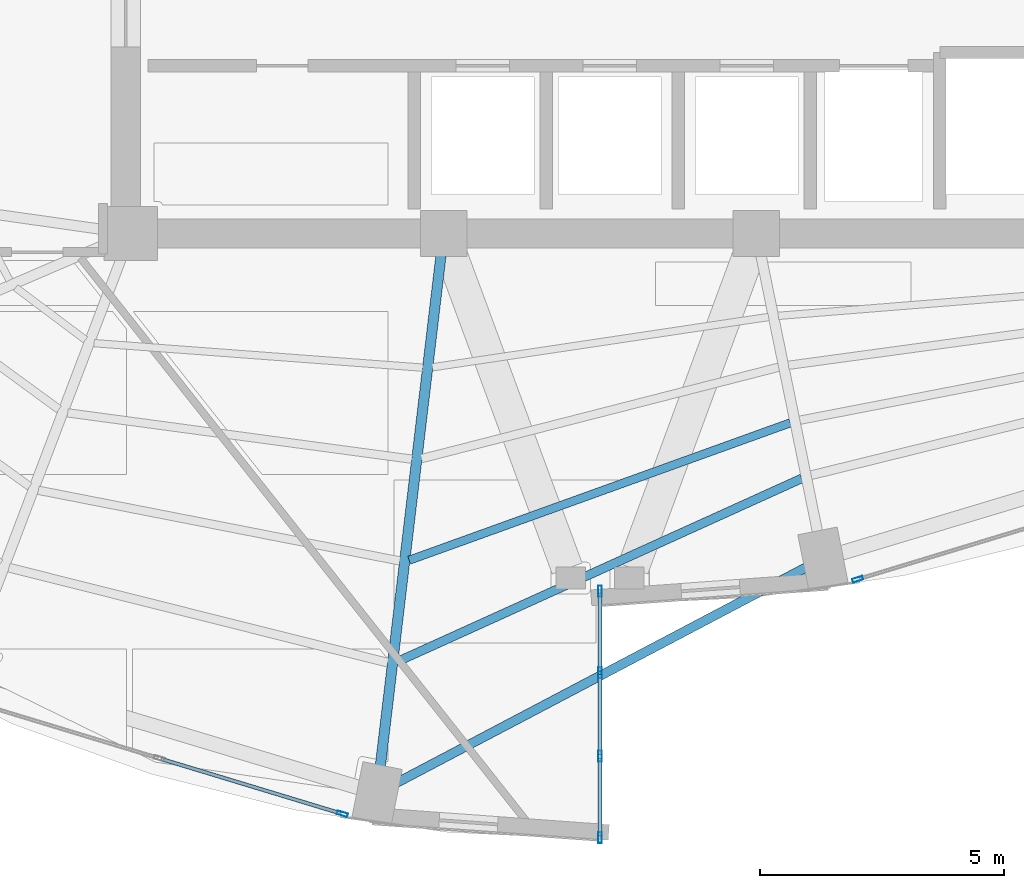
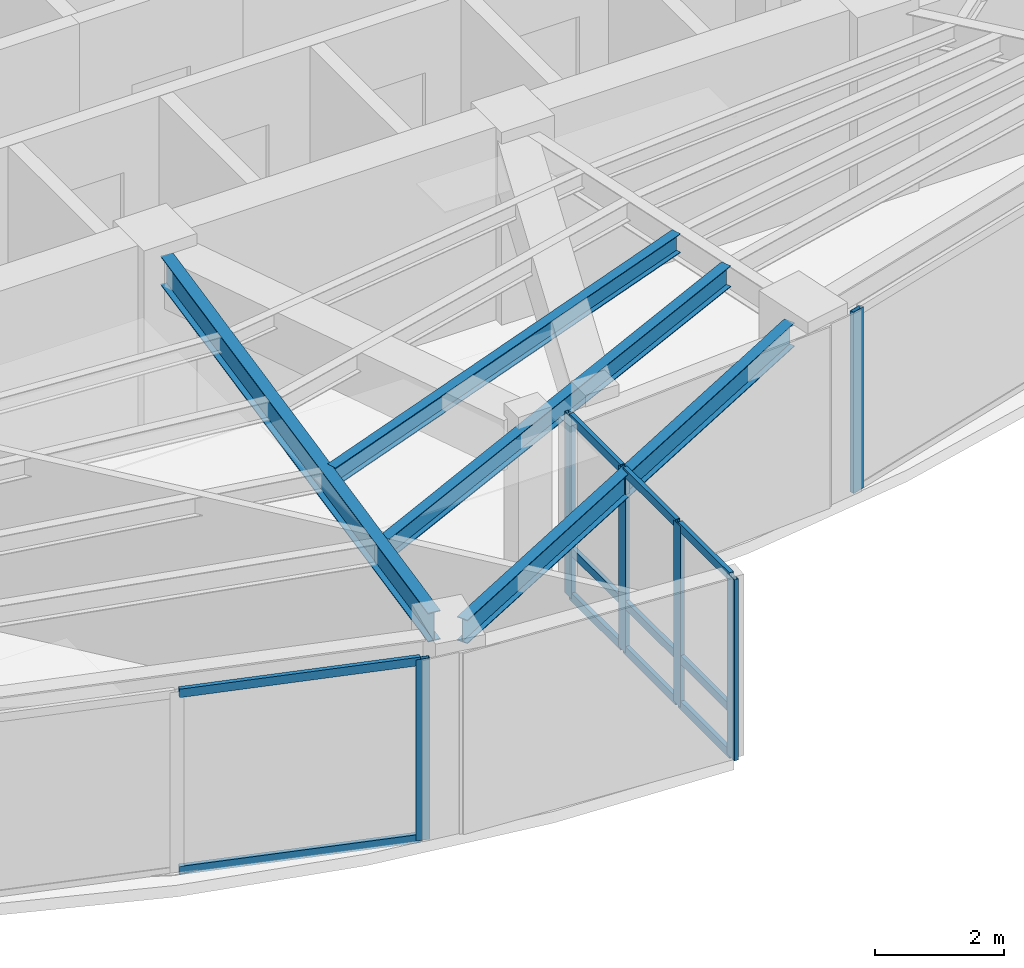
# One storey, part 4 of 20: 17 members, 4 beams, 3 elements without a shape of their own.
"""IFC4 building model written with IfcOpenShell, lengths in metres."""

from ifc_helpers import new_model, si_unit, direction, frame, origin, origin_2d, place, context, subcontext, project, spatial, hollow_rectangle, i_section, extrude, material, layer, layer_set, material_profile, profile_set, type_object, element, aggregate, save


model = new_model("IFC4")

# Units and contexts
model_context = context("Model", 3, precision=1e-05, world=origin(), true_north=direction((0.0, 1.0)))
body_context = subcontext(model_context, "Body", "Model", "MODEL_VIEW")
ifc_project = project(units=[si_unit("LENGTHUNIT", "METRE"), si_unit("AREAUNIT", "SQUARE_METRE"), si_unit("VOLUMEUNIT", "CUBIC_METRE"), si_unit("PLANEANGLEUNIT", "RADIAN"), si_unit("MASSUNIT", "GRAM", prefix="KILO")], contexts=[model_context])

# Site, building, storey
site_placement = place(None, origin())
site = spatial("IfcSite", under=ifc_project, at=site_placement, CompositionType="ELEMENT")
building_placement = place(site_placement, origin())
building = spatial("IfcBuilding", under=site, at=building_placement, Name="Lazwardi Medical Tower", CompositionType="ELEMENT")
storey_placement = place(building_placement, frame((0.0, 0.0, 152.8798828125)))
storey = spatial("IfcBuildingStorey", under=building, at=storey_placement, Name="L39", CompositionType="ELEMENT", Elevation=152.8798828125)

# Beams
ifc_material_1 = material(Name="Steel S355", Category="steel")
ifc_material_profile_1 = material_profile(ifc_material_1, i_section(OverallWidth=0.2099609375, OverallDepth=0.550048828125, WebThickness=0.010986328125, FlangeThickness=0.01708984375, at=origin_2d()), Name="IPE 550")
ifc_profile_set_1 = profile_set([ifc_material_profile_1], Name="Steel S355")
beam_type_1 = type_object("IfcBeamType", Name="BM-RG-W2", PredefinedType="BEAM", material=ifc_profile_set_1)
beam_1_placement = place(storey_placement, frame((31.505859375, 9.50732421875, 3.153076171875), z_axis=(0.117968004211, 0.993017396616, 0.0), x_axis=(-0.993017396616, 0.117968004211, 0.0)))
element("IfcBeam", 1, at=beam_1_placement, inside=storey, type_object=beam_type_1, Name="Radial girder RG-03 R16 L39", PredefinedType="BEAM", context=body_context, shape_type="SweptSolid", body=[
    extrude(i_section(OverallWidth=0.2099609375, OverallDepth=0.550048828125, WebThickness=0.010986328125, FlangeThickness=0.01708984375, at=origin_2d()), origin(), (0.0, 0.0, 1.0), 10.50927734375),
])
ifc_material_profile_2 = material_profile(ifc_material_1, i_section(OverallWidth=0.179931640625, OverallDepth=0.39990234375, WebThickness=0.008544921875, FlangeThickness=0.013427734375, at=origin_2d()), Name="IPE 400")
ifc_profile_set_2 = profile_set([ifc_material_profile_2], Name="Steel S355")
beam_type_2 = type_object("IfcBeamType", Name="BM-SJ-01", PredefinedType="JOIST", material=ifc_profile_set_2)
beam_2_placement = place(storey_placement, frame((31.844970703125, 11.6357421875, 3.22802734375), z_axis=(0.910834000674, 0.412772846995, 0.0), x_axis=(-0.412772846995, 0.910834000674, 0.0)))
element("IfcBeam", 2, at=beam_2_placement, inside=storey, type_object=beam_type_2, Name="Secondary joist SJ-01 R1 B16 L39", PredefinedType="JOIST", context=body_context, shape_type="SweptSolid", body=[
    extrude(i_section(OverallWidth=0.179931640625, OverallDepth=0.39990234375, WebThickness=0.008544921875, FlangeThickness=0.013427734375, at=origin_2d()), origin(), (0.0, 0.0, 1.0), 9.09130859375),
])
ifc_material_profile_3 = material_profile(ifc_material_1, i_section(OverallWidth=0.169921875, OverallDepth=0.360107421875, WebThickness=0.008056640625, FlangeThickness=0.0126953125, at=origin_2d()), Name="IPE 360")
ifc_profile_set_3 = profile_set([ifc_material_profile_3], Name="Steel S355")
beam_type_3 = type_object("IfcBeamType", Name="BM-SJ-02", PredefinedType="JOIST", material=ifc_profile_set_3)
beam_3_placement = place(storey_placement, frame((32.095947265625, 13.715576171875, 3.248046875), z_axis=(0.940747993319, 0.339106492221, 0.0), x_axis=(-0.339106492221, 0.940747993319, 0.0)))
element("IfcBeam", 3, at=beam_3_placement, inside=storey, type_object=beam_type_3, Name="Secondary joist SJ-02 R2 B16 L39", PredefinedType="JOIST", context=body_context, shape_type="SweptSolid", body=[
    extrude(i_section(OverallWidth=0.169921875, OverallDepth=0.360107421875, WebThickness=0.008056640625, FlangeThickness=0.0126953125, at=origin_2d()), origin(), (0.0, 0.0, 1.0), 8.28662109375),
])
ifc_material_profile_4 = material_profile(ifc_material_1, i_section(OverallWidth=0.18994140625, OverallDepth=0.449951171875, WebThickness=0.009521484375, FlangeThickness=0.0146484375, at=origin_2d()), Name="IPE 450")
ifc_profile_set_4 = profile_set([ifc_material_profile_4], Name="Steel S355")
beam_type_4 = type_object("IfcBeamType", Name="BM-SP-01", PredefinedType="SPANDREL", material=ifc_profile_set_4)
beam_4_placement = place(storey_placement, frame((31.793701171875, 9.137451171875, 3.203125), z_axis=(0.884926578414, 0.465730556026, 0.0), x_axis=(-0.465730556026, 0.884926578414, 0.0)))
element("IfcBeam", 4, at=beam_4_placement, inside=storey, type_object=beam_type_4, Name="Spandrel beam SP-01 B16 L39", PredefinedType="SPANDREL", context=body_context, shape_type="SweptSolid", body=[
    extrude(i_section(OverallWidth=0.18994140625, OverallDepth=0.449951171875, WebThickness=0.009521484375, FlangeThickness=0.0146484375, at=origin_2d()), origin(), (0.0, 0.0, 1.0), 9.506591796875),
])

# Curtain wall, member
ifc_material_2 = material(Name="Anodised bronze aluminium and solar control glazing", Category="aluminium")
ifc_layer_1 = layer(ifc_material_2, 0.195068359375)
ifc_layer_set_1 = layer_set([ifc_layer_1], Name="Anodised bronze aluminium and solar control glazing")
curtain_wall_type_1 = type_object("IfcCurtainWallType", Name="CW-SYS-03", PredefinedType="NOTDEFINED", material=ifc_layer_set_1)
curtain_wall_1_placement = place(storey_placement, origin())
curtain_wall_1 = element("IfcCurtainWall", 5, at=curtain_wall_1_placement, inside=storey, type_object=curtain_wall_type_1, Name="L39 Unitised bronze curtain wall CW-03", PredefinedType="NOTDEFINED")
ifc_material_3 = material(Name="Anodised bronze aluminium", Category="aluminium")
ifc_material_profile_5 = material_profile(ifc_material_3, hollow_rectangle(XDim=0.074951171875, YDim=0.219970703125, WallThickness=0.00390625, at=origin_2d()), Name="ALU-MULLION 220x75x4")
ifc_profile_set_5 = profile_set([ifc_material_profile_5], Name="Anodised bronze aluminium")
member_type_1 = type_object("IfcMemberType", Name="CW-MUL-01", PredefinedType="MULLION", material=ifc_profile_set_5)
member_1_placement = place(storey_placement, frame((41.27197265625, 13.325927734375, 0.0), z_axis=(0.0, 0.0, 1.0), x_axis=(-0.290280785441, 0.956941516292, 0.0)))
member_1 = element("IfcMember", 6, at=member_1_placement, type_object=member_type_1, Name="CW-03 mullion 1", PredefinedType="MULLION", context=body_context, shape_type="SweptSolid", body=[
    extrude(hollow_rectangle(XDim=0.074951171875, YDim=0.219970703125, WallThickness=0.00390625, at=origin_2d()), origin(), (0.0, 0.0, 1.0), 3.42822265625),
])
aggregate(curtain_wall_1, [member_1])

curtain_wall_2_placement = place(storey_placement, origin())
curtain_wall_2 = element("IfcCurtainWall", 7, at=curtain_wall_2_placement, inside=storey, type_object=curtain_wall_type_1, Name="L39 Unitised bronze curtain wall CW-03", PredefinedType="NOTDEFINED")
member_2_placement = place(storey_placement, frame((30.72802734375, 8.52587890625, 0.0), z_axis=(0.0, 0.0, 1.0), x_axis=(0.290280785441, 0.956941516292, 0.0)))
member_2 = element("IfcMember", 8, at=member_2_placement, type_object=member_type_1, Name="CW-03 mullion 3", PredefinedType="MULLION", context=body_context, shape_type="SweptSolid", body=[
    extrude(hollow_rectangle(XDim=0.074951171875, YDim=0.219970703125, WallThickness=0.00390625, at=origin_2d()), origin(), (0.0, 0.0, 1.0), 3.42822265625),
])

# Curtain wall, members
ifc_layer_2 = layer(ifc_material_2, 0.2099609375)
ifc_layer_set_2 = layer_set([ifc_layer_2], Name="Anodised bronze aluminium and solar control glazing")
curtain_wall_type_2 = type_object("IfcCurtainWallType", Name="CW-SYS-06", PredefinedType="NOTDEFINED", material=ifc_layer_set_2)
curtain_wall_3_placement = place(storey_placement, origin())
curtain_wall_3 = element("IfcCurtainWall", 9, at=curtain_wall_3_placement, inside=storey, type_object=curtain_wall_type_2, Name="L39 Unitised bronze curtain wall CW-06", PredefinedType="NOTDEFINED")
member_3_placement = place(storey_placement, frame((36.0, 8.03759765625, 0.0), z_axis=(0.0, 0.0, 1.0), x_axis=(-1.0, 0.0, 0.0)))
member_3 = element("IfcMember", 10, at=member_3_placement, type_object=member_type_1, Name="CW-06 mullion 1", PredefinedType="MULLION", context=body_context, shape_type="SweptSolid", body=[
    extrude(hollow_rectangle(XDim=0.074951171875, YDim=0.219970703125, WallThickness=0.00390625, at=origin_2d()), origin(), (0.0, 0.0, 1.0), 3.42822265625),
])
member_4_placement = place(storey_placement, frame((36.0, 9.706787109375, 0.0), z_axis=(0.0, 0.0, 1.0), x_axis=(-1.0, 0.0, 0.0)))
member_4 = element("IfcMember", 11, at=member_4_placement, type_object=member_type_1, Name="CW-06 mullion 2", PredefinedType="MULLION", context=body_context, shape_type="SweptSolid", body=[
    extrude(hollow_rectangle(XDim=0.074951171875, YDim=0.219970703125, WallThickness=0.00390625, at=origin_2d()), origin(), (0.0, 0.0, 1.0), 3.42822265625),
])
member_5_placement = place(storey_placement, frame((36.0, 11.413330078125, 0.0), z_axis=(0.0, 0.0, 1.0), x_axis=(-1.0, 0.0, 0.0)))
member_5 = element("IfcMember", 12, at=member_5_placement, type_object=member_type_1, Name="CW-06 mullion 3", PredefinedType="MULLION", context=body_context, shape_type="SweptSolid", body=[
    extrude(hollow_rectangle(XDim=0.074951171875, YDim=0.219970703125, WallThickness=0.00390625, at=origin_2d()), origin(), (0.0, 0.0, 1.0), 3.42822265625),
])
member_6_placement = place(storey_placement, frame((36.0, 13.08251953125, 0.0), z_axis=(0.0, 0.0, 1.0), x_axis=(-1.0, 0.0, 0.0)))
member_6 = element("IfcMember", 13, at=member_6_placement, type_object=member_type_1, Name="CW-06 mullion 4", PredefinedType="MULLION", context=body_context, shape_type="SweptSolid", body=[
    extrude(hollow_rectangle(XDim=0.074951171875, YDim=0.219970703125, WallThickness=0.00390625, at=origin_2d()), origin(), (0.0, 0.0, 1.0), 3.42822265625),
])

# Member
ifc_material_profile_6 = material_profile(ifc_material_3, hollow_rectangle(XDim=0.074951171875, YDim=0.159912109375, WallThickness=0.00390625, at=origin_2d()), Name="ALU-TRANSOM 160x75x4")
ifc_profile_set_6 = profile_set([ifc_material_profile_6], Name="Anodised bronze aluminium")
member_type_2 = type_object("IfcMemberType", Name="CW-TRN-01", PredefinedType="USERDEFINED", material=ifc_profile_set_6)
member_7_placement = place(storey_placement, frame((27.020751953125, 9.650390625, 0.03759765625), z_axis=(0.95695319357, -0.290242287264, 0.0), x_axis=(0.290242287264, 0.95695319357, 0.0)))
member_7 = element("IfcMember", 14, at=member_7_placement, type_object=member_type_2, Name="CW-03 transom 2.1", ObjectType="TRANSOM", PredefinedType="USERDEFINED", context=body_context, shape_type="SweptSolid", body=[
    extrude(hollow_rectangle(XDim=0.074951171875, YDim=0.159912109375, WallThickness=0.00390625, at=origin_2d()), origin(), (0.0, 0.0, 1.0), 3.83642578125),
])

member_8_placement = place(storey_placement, frame((27.020751953125, 9.650390625, 3.390625), z_axis=(0.95695319357, -0.290242287264, 0.0), x_axis=(0.290242287264, 0.95695319357, 0.0)))
member_8 = element("IfcMember", 15, at=member_8_placement, type_object=member_type_2, Name="CW-03 transom 2.2", ObjectType="TRANSOM", PredefinedType="USERDEFINED", context=body_context, shape_type="SweptSolid", body=[
    extrude(hollow_rectangle(XDim=0.074951171875, YDim=0.159912109375, WallThickness=0.00390625, at=origin_2d()), origin(), (0.0, 0.0, 1.0), 3.83642578125),
])

aggregate(curtain_wall_2, [member_2, member_7, member_8])

member_9_placement = place(storey_placement, frame((36.0, 8.074951171875, 0.03759765625), z_axis=(0.0, 1.0, 0.0), x_axis=(-1.0, 0.0, 0.0)))
member_9 = element("IfcMember", 16, at=member_9_placement, type_object=member_type_2, Name="CW-06 transom 1.1", ObjectType="TRANSOM", PredefinedType="USERDEFINED", context=body_context, shape_type="SweptSolid", body=[
    extrude(hollow_rectangle(XDim=0.074951171875, YDim=0.159912109375, WallThickness=0.00390625, at=origin_2d()), origin(), (0.0, 0.0, 1.0), 1.59423828125),
])

member_10_placement = place(storey_placement, frame((36.0, 8.074951171875, 0.900146484375), z_axis=(0.0, 1.0, 0.0), x_axis=(-1.0, 0.0, 0.0)))
member_10 = element("IfcMember", 17, at=member_10_placement, type_object=member_type_2, Name="CW-06 transom 1.2", ObjectType="TRANSOM", PredefinedType="USERDEFINED", context=body_context, shape_type="SweptSolid", body=[
    extrude(hollow_rectangle(XDim=0.074951171875, YDim=0.159912109375, WallThickness=0.00390625, at=origin_2d()), origin(), (0.0, 0.0, 1.0), 1.59423828125),
])

member_11_placement = place(storey_placement, frame((36.0, 8.074951171875, 3.390625), z_axis=(0.0, 1.0, 0.0), x_axis=(-1.0, 0.0, 0.0)))
member_11 = element("IfcMember", 18, at=member_11_placement, type_object=member_type_2, Name="CW-06 transom 1.3", ObjectType="TRANSOM", PredefinedType="USERDEFINED", context=body_context, shape_type="SweptSolid", body=[
    extrude(hollow_rectangle(XDim=0.074951171875, YDim=0.159912109375, WallThickness=0.00390625, at=origin_2d()), origin(), (0.0, 0.0, 1.0), 1.59423828125),
])

member_12_placement = place(storey_placement, frame((36.0, 9.744140625, 0.03759765625), z_axis=(0.0, 1.0, 0.0), x_axis=(-1.0, 0.0, 0.0)))
member_12 = element("IfcMember", 19, at=member_12_placement, type_object=member_type_2, Name="CW-06 transom 2.1", ObjectType="TRANSOM", PredefinedType="USERDEFINED", context=body_context, shape_type="SweptSolid", body=[
    extrude(hollow_rectangle(XDim=0.074951171875, YDim=0.159912109375, WallThickness=0.00390625, at=origin_2d()), origin(), (0.0, 0.0, 1.0), 1.631591796875),
])

member_13_placement = place(storey_placement, frame((36.0, 9.744140625, 0.900146484375), z_axis=(0.0, 1.0, 0.0), x_axis=(-1.0, 0.0, 0.0)))
member_13 = element("IfcMember", 20, at=member_13_placement, type_object=member_type_2, Name="CW-06 transom 2.2", ObjectType="TRANSOM", PredefinedType="USERDEFINED", context=body_context, shape_type="SweptSolid", body=[
    extrude(hollow_rectangle(XDim=0.074951171875, YDim=0.159912109375, WallThickness=0.00390625, at=origin_2d()), origin(), (0.0, 0.0, 1.0), 1.631591796875),
])

member_14_placement = place(storey_placement, frame((36.0, 9.744140625, 3.390625), z_axis=(0.0, 1.0, 0.0), x_axis=(-1.0, 0.0, 0.0)))
member_14 = element("IfcMember", 21, at=member_14_placement, type_object=member_type_2, Name="CW-06 transom 2.3", ObjectType="TRANSOM", PredefinedType="USERDEFINED", context=body_context, shape_type="SweptSolid", body=[
    extrude(hollow_rectangle(XDim=0.074951171875, YDim=0.159912109375, WallThickness=0.00390625, at=origin_2d()), origin(), (0.0, 0.0, 1.0), 1.631591796875),
])

member_15_placement = place(storey_placement, frame((36.0, 11.450927734375, 0.03759765625), z_axis=(0.0, 1.0, 0.0), x_axis=(-1.0, 0.0, 0.0)))
member_15 = element("IfcMember", 22, at=member_15_placement, type_object=member_type_2, Name="CW-06 transom 3.1", ObjectType="TRANSOM", PredefinedType="USERDEFINED", context=body_context, shape_type="SweptSolid", body=[
    extrude(hollow_rectangle(XDim=0.074951171875, YDim=0.159912109375, WallThickness=0.00390625, at=origin_2d()), origin(), (0.0, 0.0, 1.0), 1.593994140625),
])

member_16_placement = place(storey_placement, frame((36.0, 11.450927734375, 0.900146484375), z_axis=(0.0, 1.0, 0.0), x_axis=(-1.0, 0.0, 0.0)))
member_16 = element("IfcMember", 23, at=member_16_placement, type_object=member_type_2, Name="CW-06 transom 3.2", ObjectType="TRANSOM", PredefinedType="USERDEFINED", context=body_context, shape_type="SweptSolid", body=[
    extrude(hollow_rectangle(XDim=0.074951171875, YDim=0.159912109375, WallThickness=0.00390625, at=origin_2d()), origin(), (0.0, 0.0, 1.0), 1.593994140625),
])

member_17_placement = place(storey_placement, frame((36.0, 11.450927734375, 3.390625), z_axis=(0.0, 1.0, 0.0), x_axis=(-1.0, 0.0, 0.0)))
member_17 = element("IfcMember", 24, at=member_17_placement, type_object=member_type_2, Name="CW-06 transom 3.3", ObjectType="TRANSOM", PredefinedType="USERDEFINED", context=body_context, shape_type="SweptSolid", body=[
    extrude(hollow_rectangle(XDim=0.074951171875, YDim=0.159912109375, WallThickness=0.00390625, at=origin_2d()), origin(), (0.0, 0.0, 1.0), 1.593994140625),
])

aggregate(curtain_wall_3, [member_3, member_4, member_5, member_6, member_9, member_10, member_11, member_12, member_13, member_14, member_15, member_16, member_17])

save(model, "model.ifc")
